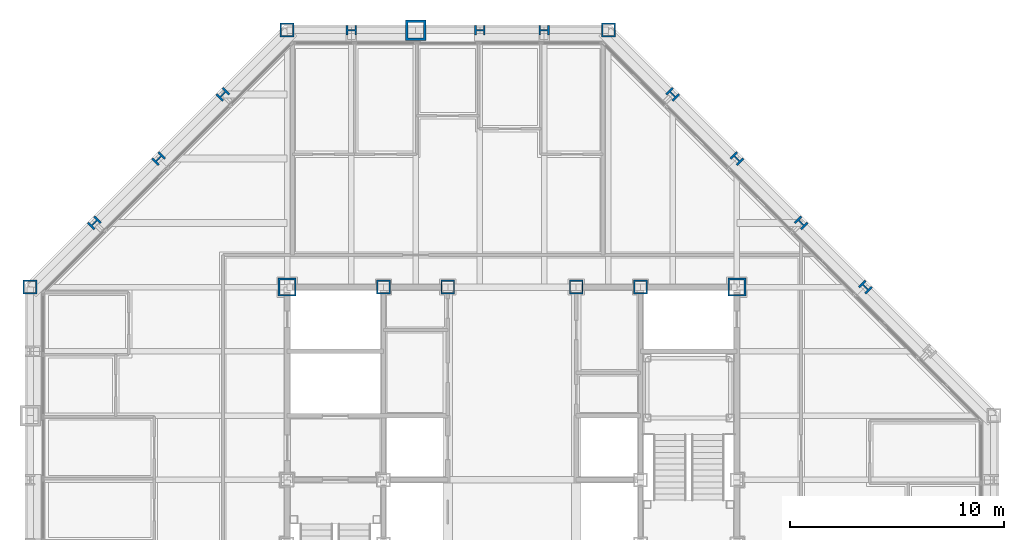
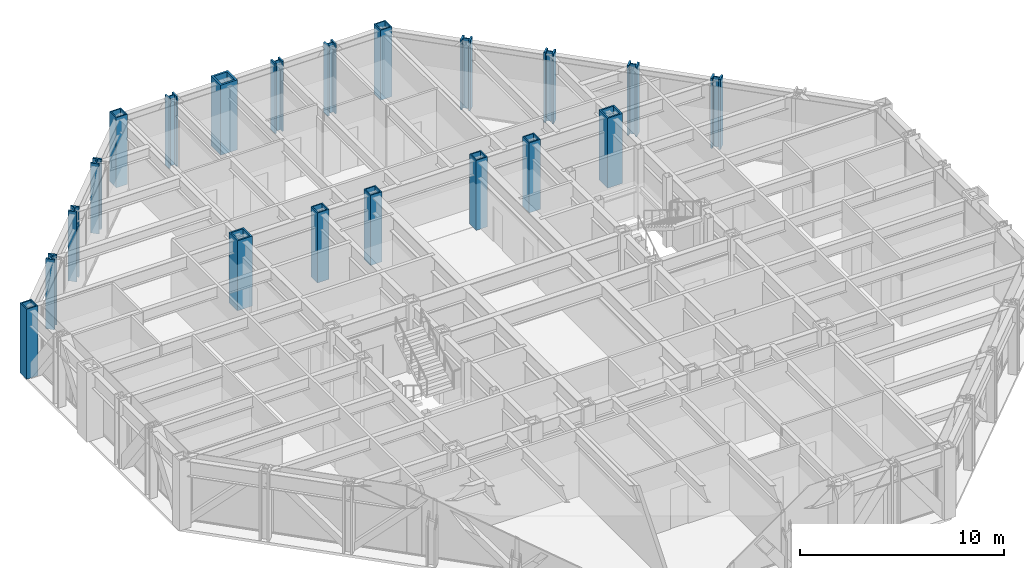
# One storey, part 4 of 16: 20 columns.
"""IFC4 building model written with IfcOpenShell, lengths in metres."""

from ifc_helpers import new_model, si_unit, direction, frame, origin, origin_2d, place, context, subcontext, project, spatial, hollow_rectangle, i_section, extrude, material, material_profile, profile_set, type_object, element, save


model = new_model("IFC4")

# Units and contexts
model_context = context("Model", 3, precision=1e-05, world=origin(), true_north=direction((0.0, 1.0)))
body_context = subcontext(model_context, "Body", "Model", "MODEL_VIEW")
ifc_project = project(units=[si_unit("LENGTHUNIT", "METRE"), si_unit("AREAUNIT", "SQUARE_METRE"), si_unit("VOLUMEUNIT", "CUBIC_METRE"), si_unit("PLANEANGLEUNIT", "RADIAN"), si_unit("MASSUNIT", "GRAM", prefix="KILO")], contexts=[model_context])

# Site, building, storey
site_placement = place(None, origin())
site = spatial("IfcSite", under=ifc_project, at=site_placement, CompositionType="ELEMENT")
building_placement = place(site_placement, origin())
building = spatial("IfcBuilding", under=site, at=building_placement, Name="Chuquiago Exchange Tower", CompositionType="ELEMENT")
storey_placement = place(building_placement, frame((0.0, 0.0, 201.300048828125)))
storey = spatial("IfcBuildingStorey", under=building, at=storey_placement, Name="L44", CompositionType="ELEMENT", Elevation=201.300048828125)

# Columns
ifc_material_1 = material(Name="Steel ASTM A992", Category="steel")
ifc_material_profile_1 = material_profile(ifc_material_1, i_section(OverallWidth=0.431884765625, OverallDepth=0.497802734375, WebThickness=0.0556640625, FlangeThickness=0.0888671875, at=origin_2d()), Name="W14X500")
ifc_profile_set_1 = profile_set([ifc_material_profile_1], Name="Steel ASTM A992")
column_type_1 = type_object("IfcColumnType", Name="C4 W14X500", PredefinedType="COLUMN", material=ifc_profile_set_1)
for number, where, z_axis, x_axis, name in (
    (1, (24.0, 45.0, 0.0), (0.0, 0.0, 1.0), (0.0, 1.0, 0.0), "COL-L44-24_45"),
    (2, (21.0, 45.0, 0.0), (0.0, 0.0, 1.0), (0.0, 1.0, 0.0), "COL-L44-21_45"),
    (3, (15.0, 45.0, 0.0), (0.0, 0.0, 1.0), (0.0, 1.0, 0.0), "COL-L44-15_45"),
):
    element("IfcColumn", number, at=place(storey_placement, frame(where, z_axis=z_axis, x_axis=x_axis)), inside=storey, type_object=column_type_1, Name=name, PredefinedType="COLUMN", context=body_context, shape_type="SweptSolid", body=[
        extrude(i_section(OverallWidth=0.431884765625, OverallDepth=0.497802734375, WebThickness=0.0556640625, FlangeThickness=0.0888671875, at=origin_2d()), origin(), (0.0, 0.0, 1.0), 4.199951171875),
    ])
ifc_material_2 = material(Name="Steel ASTM A572 Grade 50", Category="steel")
ifc_material_profile_2 = material_profile(ifc_material_2, hollow_rectangle(XDim=0.64990234375, YDim=0.64990234375, WallThickness=0.06494140625, at=origin_2d()), Name="BOX650X650X65")
ifc_profile_set_2 = profile_set([ifc_material_profile_2], Name="Steel ASTM A572 Grade 50")
column_type_2 = type_object("IfcColumnType", Name="CC4 BOX650X650X65", PredefinedType="COLUMN", material=ifc_profile_set_2)
for number, where, z_axis, x_axis, name in (
    (4, (16.5, 33.0, 0.0), (0.0, 0.0, 1.0), (1.0, 0.0, 0.0), "CCOL-L44-16.5_33"),
    (5, (19.5, 33.0, 0.0), (0.0, 0.0, 1.0), (1.0, 0.0, 0.0), "CCOL-L44-19.5_33"),
    (6, (25.5, 33.0, 0.0), (0.0, 0.0, 1.0), (1.0, 0.0, 0.0), "CCOL-L44-25.5_33"),
    (7, (28.5, 33.0, 0.0), (0.0, 0.0, 1.0), (1.0, 0.0, 0.0), "CCOL-L44-28.5_33"),
):
    element("IfcColumn", number, at=place(storey_placement, frame(where, z_axis=z_axis, x_axis=x_axis)), inside=storey, type_object=column_type_2, Name=name, PredefinedType="COLUMN", context=body_context, shape_type="SweptSolid", body=[
        extrude(hollow_rectangle(XDim=0.64990234375, YDim=0.64990234375, WallThickness=0.06494140625, at=origin_2d()), origin(), (0.0, 0.0, 1.0), 4.199951171875),
    ])
ifc_material_3 = material(Name="Steel ASTM A572 Grade 50", Category="steel")
ifc_material_profile_3 = material_profile(ifc_material_3, hollow_rectangle(XDim=0.85009765625, YDim=0.85009765625, WallThickness=0.0849609375, at=origin_2d()), Name="BOX850X850X85")
ifc_profile_set_3 = profile_set([ifc_material_profile_3], Name="Steel ASTM A572 Grade 50")
column_type_3 = type_object("IfcColumnType", Name="CC6 BOX850X850X85", PredefinedType="COLUMN", material=ifc_profile_set_3)
for number, where, z_axis, x_axis, name in (
    (8, (12.0, 33.0, 0.0), (0.0, 0.0, 1.0), (1.0, 0.0, 0.0), "CCOL-L44-12_33"),
    (9, (33.0, 33.0, 0.0), (0.0, 0.0, 1.0), (1.0, 0.0, 0.0), "CCOL-L44-33_33"),
):
    element("IfcColumn", number, at=place(storey_placement, frame(where, z_axis=z_axis, x_axis=x_axis)), inside=storey, type_object=column_type_3, Name=name, PredefinedType="COLUMN", context=body_context, shape_type="SweptSolid", body=[
        extrude(hollow_rectangle(XDim=0.85009765625, YDim=0.85009765625, WallThickness=0.0849609375, at=origin_2d()), origin(), (0.0, 0.0, 1.0), 4.199951171875),
    ])
ifc_material_4 = material(Name="Steel ASTM A992", Category="steel")
ifc_material_profile_4 = material_profile(ifc_material_4, i_section(OverallWidth=0.436767578125, OverallDepth=0.51318359375, WebThickness=0.060546875, FlangeThickness=0.096923828125, at=origin_2d()), Name="W14X550")
ifc_profile_set_4 = profile_set([ifc_material_profile_4], Name="Steel ASTM A992")
column_type_4 = type_object("IfcColumnType", Name="CK4 W14X550", PredefinedType="COLUMN", material=ifc_profile_set_4)
for number, where, z_axis, x_axis, name in (
    (10, (39.0, 33.0, 0.0), (0.0, 0.0, 1.0), (0.707106781187, 0.707106781187, 0.0), "COL-L44-39_33"),
    (11, (36.0, 36.0, 0.0), (0.0, 0.0, 1.0), (0.707106781187, 0.707106781187, 0.0), "COL-L44-36_36"),
    (12, (33.0, 39.0, 0.0), (0.0, 0.0, 1.0), (0.707106781187, 0.707106781187, 0.0), "COL-L44-33_39"),
    (13, (30.0, 42.0, 0.0), (0.0, 0.0, 1.0), (0.707106781187, 0.707106781187, 0.0), "COL-L44-30_42"),
    (14, (9.0, 42.0, 0.0), (0.0, 0.0, 1.0), (-0.707106781187, 0.707106781187, 0.0), "COL-L44-9_42"),
    (15, (6.0, 39.0, 0.0), (0.0, 0.0, 1.0), (-0.707106781187, 0.707106781187, 0.0), "COL-L44-6_39"),
    (16, (3.0, 36.0, 0.0), (0.0, 0.0, 1.0), (-0.707106781187, 0.707106781187, 0.0), "COL-L44-3_36"),
):
    element("IfcColumn", number, at=place(storey_placement, frame(where, z_axis=z_axis, x_axis=x_axis)), inside=storey, type_object=column_type_4, Name=name, PredefinedType="COLUMN", context=body_context, shape_type="SweptSolid", body=[
        extrude(i_section(OverallWidth=0.436767578125, OverallDepth=0.51318359375, WebThickness=0.060546875, FlangeThickness=0.096923828125, at=origin_2d()), origin(), (0.0, 0.0, 1.0), 4.199951171875),
    ])
ifc_material_5 = material(Name="Steel ASTM A572 Grade 50", Category="steel")
ifc_material_profile_5 = material_profile(ifc_material_5, hollow_rectangle(XDim=0.64990234375, YDim=0.64990234375, WallThickness=0.06494140625, at=origin_2d()), Name="BOX650X650X65")
ifc_profile_set_5 = profile_set([ifc_material_profile_5], Name="Steel ASTM A572 Grade 50")
column_type_5 = type_object("IfcColumnType", Name="CN2 BOX650X650X65", PredefinedType="COLUMN", material=ifc_profile_set_5)
for number, where, z_axis, x_axis, name in (
    (17, (27.0, 45.0, 0.0), (0.0, 0.0, 1.0), (0.0, 1.0, 0.0), "COL-L44-27_45"),
    (18, (12.0, 45.0, 0.0), (0.0, 0.0, 1.0), (0.0, 1.0, 0.0), "COL-L44-12_45"),
    (19, (0.0, 33.0, 0.0), (0.0, 0.0, 1.0), (-1.0, 0.0, 0.0), "COL-L44-0_33"),
):
    element("IfcColumn", number, at=place(storey_placement, frame(where, z_axis=z_axis, x_axis=x_axis)), inside=storey, type_object=column_type_5, Name=name, PredefinedType="COLUMN", context=body_context, shape_type="SweptSolid", body=[
        extrude(hollow_rectangle(XDim=0.64990234375, YDim=0.64990234375, WallThickness=0.06494140625, at=origin_2d()), origin(), (0.0, 0.0, 1.0), 4.199951171875),
    ])
ifc_material_6 = material(Name="Steel ASTM A572 Grade 42", Category="steel")
ifc_material_profile_6 = material_profile(ifc_material_6, hollow_rectangle(XDim=0.949951171875, YDim=0.949951171875, WallThickness=0.110107421875, at=origin_2d()), Name="BOX950X950X110")
ifc_profile_set_6 = profile_set([ifc_material_profile_6], Name="Steel ASTM A572 Grade 42")
column_type_6 = type_object("IfcColumnType", Name="CT1 BOX950X950X110", PredefinedType="COLUMN", material=ifc_profile_set_6)
column_placement = place(storey_placement, frame((18.0, 45.0, 0.0), z_axis=(0.0, 0.0, 1.0), x_axis=(0.0, 1.0, 0.0)))
element("IfcColumn", 20, at=column_placement, inside=storey, type_object=column_type_6, Name="COL-L44-18_45", PredefinedType="COLUMN", context=body_context, shape_type="SweptSolid", body=[
    extrude(hollow_rectangle(XDim=0.949951171875, YDim=0.949951171875, WallThickness=0.110107421875, at=origin_2d()), origin(), (0.0, 0.0, 1.0), 4.199951171875),
])

save(model, "model.ifc")
